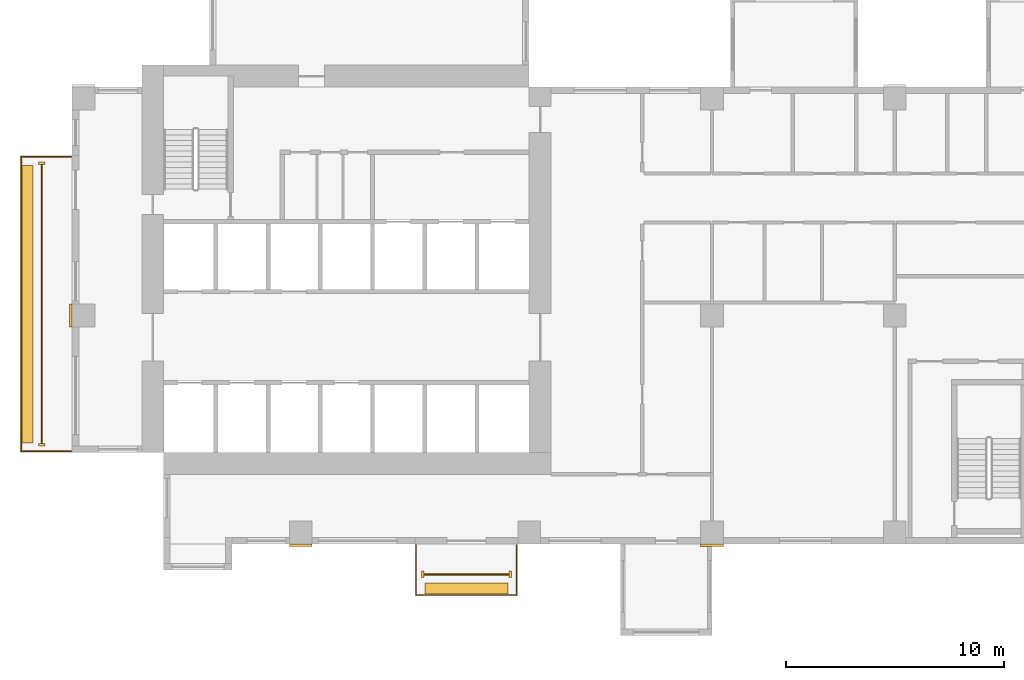
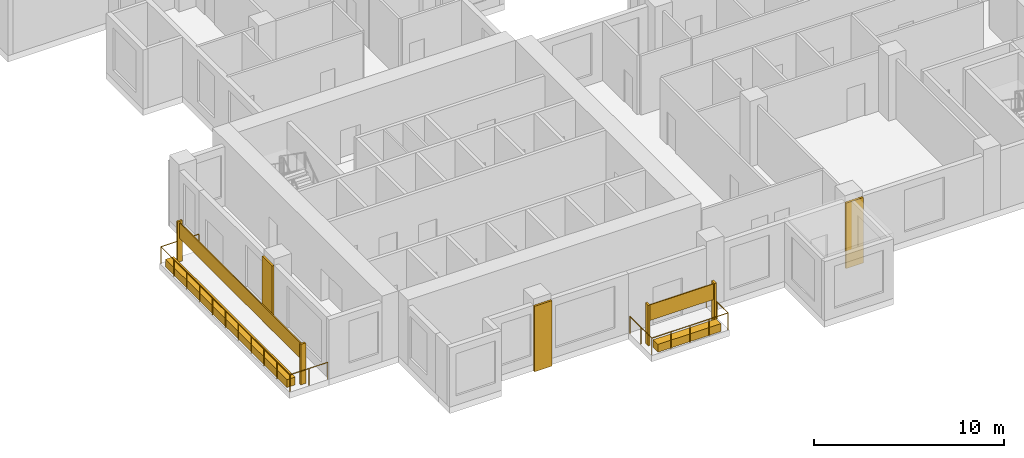
# One storey, part 11 of 15: 11 coverings, 2 railings.
"""IFC4 building model written with IfcOpenShell, lengths in metres."""

from ifc_helpers import new_model, si_unit, direction, frame, origin, origin_2d, place, context, subcontext, project, spatial, rectangle, circle, extrude, source, transform, mapped, material, type_object, element, save


model = new_model("IFC4")

# Units and contexts
model_context = context("Model", 3, precision=1e-05, world=origin(), true_north=direction((0.0, 1.0)))
body_context = subcontext(model_context, "Body", "Model", "MODEL_VIEW")
ifc_project = project(units=[si_unit("LENGTHUNIT", "METRE"), si_unit("AREAUNIT", "SQUARE_METRE"), si_unit("VOLUMEUNIT", "CUBIC_METRE"), si_unit("PLANEANGLEUNIT", "RADIAN"), si_unit("MASSUNIT", "GRAM", prefix="KILO")], contexts=[model_context])

# Site, building, storey
site_placement = place(None, origin())
site = spatial("IfcSite", under=ifc_project, at=site_placement, CompositionType="ELEMENT")
building_placement = place(site_placement, origin())
building = spatial("IfcBuilding", under=site, at=building_placement, Name="Aurelian Terraces", CompositionType="ELEMENT")
storey_placement = place(building_placement, frame((0.0, 0.0, 137.1)))
storey = spatial("IfcBuildingStorey", under=building, at=storey_placement, Name="L30", CompositionType="ELEMENT", Elevation=137.1)

# Coverings
ifc_material_1 = material(Name="Terracotta rainscreen cladding relief", Category="masonry")
covering_type_1 = type_object("IfcCoveringType", Name="FIN-TC", PredefinedType="CLADDING", material=ifc_material_1)
shared_shape_1 = source(origin(), body_context, "Body", "SweptSolid", [
    extrude(rectangle(XDim=0.3, YDim=0.12, at=origin_2d()), origin(), (0.0, 0.0, 1.0), 2.6),
])
for number, where, z_axis, x_axis, name in (
    (1, (-1.4, 17.5, 0.0), (0.0, 0.0, 1.0), (1.0, 0.0, 0.0), "FIN L30 L30-F20-38.1"),
    (2, (-1.4, 4.55, 0.0), (0.0, 0.0, 1.0), (1.0, 0.0, 0.0), "FIN L30 L30-F20-38.2"),
):
    element("IfcCovering", number, at=place(storey_placement, frame(where, z_axis=z_axis, x_axis=x_axis)), inside=storey, type_object=covering_type_1, Name=name, PredefinedType="CLADDING", context=body_context, shape_type="MappedRepresentation", body=[
        mapped(shared_shape_1, transform((0.0, 0.0, 0.0), scale=1.0)),
    ])
shared_shape_2 = source(origin(), body_context, "Body", "SweptSolid", [
    extrude(rectangle(XDim=0.12, YDim=0.3, at=origin_2d()), origin(), (0.0, 0.0, 1.0), 2.6),
])
for number, where, z_axis, x_axis, name in (
    (3, (16.1, -1.4, 0.0), (0.0, 0.0, 1.0), (1.0, 0.0, 0.0), "FIN L30 L30-F01-04.1"),
    (4, (20.125, -1.4, 0.0), (0.0, 0.0, 1.0), (1.0, 0.0, 0.0), "FIN L30 L30-F01-04.2"),
):
    element("IfcCovering", number, at=place(storey_placement, frame(where, z_axis=z_axis, x_axis=x_axis)), inside=storey, type_object=covering_type_1, Name=name, PredefinedType="CLADDING", context=body_context, shape_type="MappedRepresentation", body=[
        mapped(shared_shape_2, transform((0.0, 0.0, 0.0), scale=1.0)),
    ])

# Railing
ifc_material_2 = material(Name="Anodised aluminium", Category="aluminium")
railing_type = type_object("IfcRailingType", Name="GUARD-1100", PredefinedType="GUARDRAIL", material=ifc_material_2)
shared_shape_3 = source(origin(), body_context, "Body", "SweptSolid", [
    extrude(circle(Radius=0.024, at=origin_2d()), frame((0.0, 0.0, 1.076), z_axis=(-1.0, 0.0, 0.0), x_axis=(0.0, -1.0, 0.0)), (0.0, 0.0, 1.0), 2.3),
    extrude(circle(Radius=0.024, at=origin_2d()), frame((-2.3, 0.0, 1.076), z_axis=(0.0, -1.0, 0.0), x_axis=(1.0, 0.0, 0.0)), (0.0, 0.0, 1.0), 13.55),
    extrude(circle(Radius=0.024, at=origin_2d()), frame((-2.3, -13.55, 1.076), z_axis=(1.0, 0.0, 0.0), x_axis=(0.0, 1.0, 0.0)), (0.0, 0.0, 1.0), 2.3),
    extrude(circle(Radius=0.021, at=origin_2d()), origin(), (0.0, 0.0, 1.0), 1.052),
    extrude(circle(Radius=0.021, at=origin_2d()), frame((-1.15, 0.0, 0.0)), (0.0, 0.0, 1.0), 1.052),
    extrude(circle(Radius=0.021, at=origin_2d()), frame((-2.3, 0.0, 0.0)), (0.0, 0.0, 1.0), 1.052),
    extrude(circle(Radius=0.021, at=origin_2d()), frame((-2.3, -1.355, 0.0)), (0.0, 0.0, 1.0), 1.052),
    extrude(circle(Radius=0.021, at=origin_2d()), frame((-2.3, -2.71, 0.0)), (0.0, 0.0, 1.0), 1.052),
    extrude(circle(Radius=0.021, at=origin_2d()), frame((-2.3, -4.065, 0.0)), (0.0, 0.0, 1.0), 1.052),
    extrude(circle(Radius=0.021, at=origin_2d()), frame((-2.3, -5.42, 0.0)), (0.0, 0.0, 1.0), 1.052),
    extrude(circle(Radius=0.021, at=origin_2d()), frame((-2.3, -6.775, 0.0)), (0.0, 0.0, 1.0), 1.052),
    extrude(circle(Radius=0.021, at=origin_2d()), frame((-2.3, -8.13, 0.0)), (0.0, 0.0, 1.0), 1.052),
    extrude(circle(Radius=0.021, at=origin_2d()), frame((-2.3, -9.485, 0.0)), (0.0, 0.0, 1.0), 1.052),
    extrude(circle(Radius=0.021, at=origin_2d()), frame((-2.3, -10.84, 0.0)), (0.0, 0.0, 1.0), 1.052),
    extrude(circle(Radius=0.021, at=origin_2d()), frame((-2.3, -12.195, 0.0)), (0.0, 0.0, 1.0), 1.052),
    extrude(circle(Radius=0.021, at=origin_2d()), frame((-2.3, -13.55, 0.0)), (0.0, 0.0, 1.0), 1.052),
    extrude(circle(Radius=0.021, at=origin_2d()), frame((-1.15, -13.55, 0.0)), (0.0, 0.0, 1.0), 1.052),
    extrude(circle(Radius=0.021, at=origin_2d()), frame((0.0, -13.55, 0.0)), (0.0, 0.0, 1.0), 1.052),
])
railing_1_placement = place(storey_placement, frame((-0.05, 17.8, 0.0)))
element("IfcRailing", 5, at=railing_1_placement, inside=storey, type_object=railing_type, Name="Balcony guard L30 F20.38", PredefinedType="GUARDRAIL", context=body_context, shape_type="MappedRepresentation", body=[
    mapped(shared_shape_3, transform((0.0, 0.0, 0.0), scale=1.0)),
])

# Coverings
ifc_material_3 = material(Name="Terracotta planter with planting soil", Category="masonry")
covering_type_2 = type_object("IfcCoveringType", Name="PLANTER-TROUGH", PredefinedType="USERDEFINED", material=ifc_material_3)
shared_shape_4 = source(origin(), body_context, "Body", "SweptSolid", [
    extrude(rectangle(XDim=0.5, YDim=12.75, at=origin_2d()), origin(), (0.0, 0.0, 1.0), 0.5),
])
covering_1_placement = place(storey_placement, frame((-2.05, 11.025, 0.0), z_axis=(0.0, 0.0, 1.0), x_axis=(1.0, 0.0, 0.0)))
element("IfcCovering", 6, at=covering_1_placement, inside=storey, type_object=covering_type_2, Name="PLANTER L30 L30-F20-38", ObjectType="PLANTER", PredefinedType="USERDEFINED", context=body_context, shape_type="MappedRepresentation", body=[
    mapped(shared_shape_4, transform((0.0, 0.0, 0.0), scale=1.0)),
])
ifc_material_4 = material(Name="Terracotta rainscreen cladding", Category="masonry")
covering_type_3 = type_object("IfcCoveringType", Name="SCREEN-TC", PredefinedType="CLADDING", material=ifc_material_4)
shared_shape_5 = source(origin(), body_context, "Body", "SweptSolid", [
    extrude(rectangle(XDim=0.06, YDim=12.83, at=origin_2d()), origin(), (0.0, 0.0, 1.0), 1.0),
])
covering_2_placement = place(storey_placement, frame((-1.4, 11.025, 1.5), z_axis=(0.0, 0.0, 1.0), x_axis=(1.0, 0.0, 0.0)))
element("IfcCovering", 7, at=covering_2_placement, inside=storey, type_object=covering_type_3, Name="SCREEN L30 L30-F20-38", PredefinedType="CLADDING", context=body_context, shape_type="MappedRepresentation", body=[
    mapped(shared_shape_5, transform((0.0, 0.0, 0.0), scale=1.0)),
])
covering_type_4 = type_object("IfcCoveringType", Name="BAGUETTE-TC", PredefinedType="CLADDING", material=ifc_material_1)
shared_shape_6 = source(origin(), body_context, "Body", "SweptSolid", [
    extrude(rectangle(XDim=1.05, YDim=0.12, at=origin_2d()), origin(), (0.0, 0.0, 1.0), 4.2),
])
for number, where, z_axis, x_axis, name in (
    (8, (10.5, -0.06, -0.4), (0.0, 0.0, 1.0), (1.0, 0.0, 0.0), "BAGUETTE pier L30 1"),
    (9, (29.4, -0.06, -0.4), (0.0, 0.0, 1.0), (1.0, 0.0, 0.0), "BAGUETTE pier L30 2"),
):
    element("IfcCovering", number, at=place(storey_placement, frame(where, z_axis=z_axis, x_axis=x_axis)), inside=storey, type_object=covering_type_4, Name=name, PredefinedType="CLADDING", context=body_context, shape_type="MappedRepresentation", body=[
        mapped(shared_shape_6, transform((0.0, 0.0, 0.0), scale=1.0)),
    ])
shared_shape_7 = source(origin(), body_context, "Body", "SweptSolid", [
    extrude(rectangle(XDim=0.12, YDim=1.05, at=origin_2d()), origin(), (0.0, 0.0, 1.0), 4.2),
])
covering_3_placement = place(storey_placement, frame((-0.06, 10.5, -0.4), z_axis=(0.0, 0.0, 1.0), x_axis=(1.0, 0.0, 0.0)))
element("IfcCovering", 10, at=covering_3_placement, inside=storey, type_object=covering_type_4, Name="BAGUETTE pier L30 5", PredefinedType="CLADDING", context=body_context, shape_type="MappedRepresentation", body=[
    mapped(shared_shape_7, transform((0.0, 0.0, 0.0), scale=1.0)),
])

# Railing
shared_shape_8 = source(origin(), body_context, "Body", "SweptSolid", [
    extrude(circle(Radius=0.024, at=origin_2d()), frame((0.0, 0.0, 1.076), z_axis=(0.0, -1.0, 0.0), x_axis=(1.0, 0.0, 0.0)), (0.0, 0.0, 1.0), 2.3),
    extrude(circle(Radius=0.024, at=origin_2d()), frame((0.0, -2.3, 1.076), z_axis=(1.0, 0.0, 0.0), x_axis=(0.0, 1.0, 0.0)), (0.0, 0.0, 1.0), 4.625),
    extrude(circle(Radius=0.024, at=origin_2d()), frame((4.625, -2.3, 1.076), z_axis=(0.0, 1.0, 0.0), x_axis=(-1.0, 0.0, 0.0)), (0.0, 0.0, 1.0), 2.3),
    extrude(circle(Radius=0.021, at=origin_2d()), origin(), (0.0, 0.0, 1.0), 1.052),
    extrude(circle(Radius=0.021, at=origin_2d()), frame((0.0, -1.15, 0.0)), (0.0, 0.0, 1.0), 1.052),
    extrude(circle(Radius=0.021, at=origin_2d()), frame((0.0, -2.3, 0.0)), (0.0, 0.0, 1.0), 1.052),
    extrude(circle(Radius=0.021, at=origin_2d()), frame((1.1562, -2.3, 0.0)), (0.0, 0.0, 1.0), 1.052),
    extrude(circle(Radius=0.021, at=origin_2d()), frame((2.3125, -2.3, 0.0)), (0.0, 0.0, 1.0), 1.052),
    extrude(circle(Radius=0.021, at=origin_2d()), frame((3.4688, -2.3, 0.0)), (0.0, 0.0, 1.0), 1.052),
    extrude(circle(Radius=0.021, at=origin_2d()), frame((4.625, -2.3, 0.0)), (0.0, 0.0, 1.0), 1.052),
    extrude(circle(Radius=0.021, at=origin_2d()), frame((4.625, -1.15, 0.0)), (0.0, 0.0, 1.0), 1.052),
    extrude(circle(Radius=0.021, at=origin_2d()), frame((4.625, 0.0, 0.0)), (0.0, 0.0, 1.0), 1.052),
])
railing_2_placement = place(storey_placement, frame((15.8, -0.05, 0.0)))
element("IfcRailing", 11, at=railing_2_placement, inside=storey, type_object=railing_type, Name="Balcony guard L30 F01.4", PredefinedType="GUARDRAIL", context=body_context, shape_type="MappedRepresentation", body=[
    mapped(shared_shape_8, transform((0.0, 0.0, 0.0), scale=1.0)),
])

# Coverings
shared_shape_9 = source(origin(), body_context, "Body", "SweptSolid", [
    extrude(rectangle(XDim=3.825, YDim=0.5, at=origin_2d()), origin(), (0.0, 0.0, 1.0), 0.5),
])
covering_4_placement = place(storey_placement, frame((18.1125, -2.05, 0.0), z_axis=(0.0, 0.0, 1.0), x_axis=(1.0, 0.0, 0.0)))
element("IfcCovering", 12, at=covering_4_placement, inside=storey, type_object=covering_type_2, Name="PLANTER L30 L30-F01-04", ObjectType="PLANTER", PredefinedType="USERDEFINED", context=body_context, shape_type="MappedRepresentation", body=[
    mapped(shared_shape_9, transform((0.0, 0.0, 0.0), scale=1.0)),
])
shared_shape_10 = source(origin(), body_context, "Body", "SweptSolid", [
    extrude(rectangle(XDim=3.905, YDim=0.06, at=origin_2d()), origin(), (0.0, 0.0, 1.0), 1.0),
])
covering_5_placement = place(storey_placement, frame((18.1125, -1.4, 1.5), z_axis=(0.0, 0.0, 1.0), x_axis=(1.0, 0.0, 0.0)))
element("IfcCovering", 13, at=covering_5_placement, inside=storey, type_object=covering_type_3, Name="SCREEN L30 L30-F01-04", PredefinedType="CLADDING", context=body_context, shape_type="MappedRepresentation", body=[
    mapped(shared_shape_10, transform((0.0, 0.0, 0.0), scale=1.0)),
])

save(model, "model.ifc")
